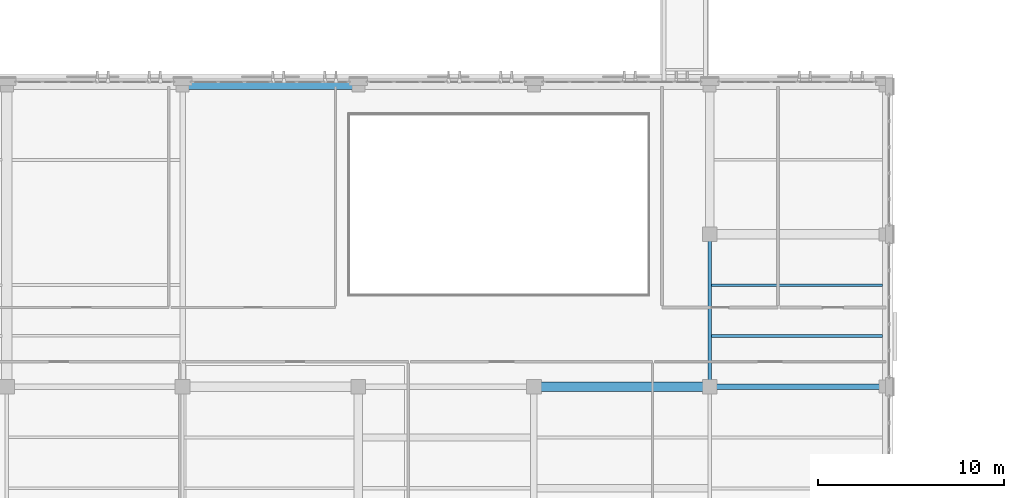
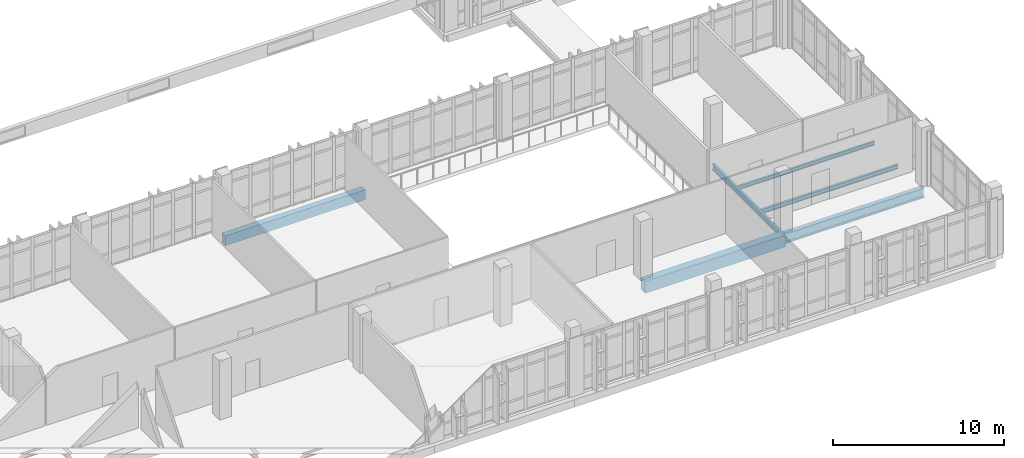
# One storey, part 47 of 158: 6 beams.
"""IFC4 building model written with IfcOpenShell, lengths in metres."""

from ifc_helpers import new_model, si_unit, direction, frame, origin, origin_2d, place, context, subcontext, project, spatial, rectangle, i_section, extrude, material, material_profile, profile_set, type_object, element, save


model = new_model("IFC4")

# Units and contexts
model_context = context("Model", 3, precision=1e-05, world=origin(), true_north=direction((0.0, 1.0)))
body_context = subcontext(model_context, "Body", "Model", "MODEL_VIEW")
ifc_project = project(units=[si_unit("LENGTHUNIT", "METRE"), si_unit("AREAUNIT", "SQUARE_METRE"), si_unit("VOLUMEUNIT", "CUBIC_METRE"), si_unit("PLANEANGLEUNIT", "RADIAN"), si_unit("MASSUNIT", "GRAM", prefix="KILO")], contexts=[model_context])

# Site, building, storey
site_placement = place(None, origin())
site = spatial("IfcSite", under=ifc_project, at=site_placement, CompositionType="ELEMENT")
building_placement = place(site_placement, origin())
building = spatial("IfcBuilding", under=site, at=building_placement, Name="Qalavern Law Courts", CompositionType="ELEMENT")
storey_placement = place(building_placement, frame((0.0, 0.0, 18.60009765625)))
storey = spatial("IfcBuildingStorey", under=building, at=storey_placement, Name="L04", CompositionType="ELEMENT", Elevation=18.60009765625)

# Beams
ifc_material_1 = material(Name="Steel S355", Category="steel")
ifc_material_profile_1 = material_profile(ifc_material_1, i_section(OverallWidth=0.300048828125, OverallDepth=0.699951171875, WebThickness=0.01708984375, FlangeThickness=0.031982421875, FilletRadius=0.027099609375, at=origin_2d()), Name="HEB 700")
ifc_profile_set_1 = profile_set([ifc_material_profile_1], Name="Steel S355")
beam_type_1 = type_object("IfcBeamType", Name="STR-BM-HEB700", PredefinedType="BEAM", material=ifc_profile_set_1)
beam_1_placement = place(storey_placement, frame((91.345703125, 13.800048828125, -0.630126953125), z_axis=(1.0, 0.0, 0.0), x_axis=(0.0, 1.0, 0.0)))
element("IfcBeam", 1, at=beam_1_placement, inside=storey, type_object=beam_type_1, Name="V2 X-beam 2-7 L04", PredefinedType="BEAM", context=body_context, shape_type="SweptSolid", body=[
    extrude(i_section(OverallWidth=0.300048828125, OverallDepth=0.699951171875, WebThickness=0.01708984375, FlangeThickness=0.031982421875, FilletRadius=0.027099609375, at=origin_2d()), origin(), (0.0, 0.0, 1.0), 9.454345703125),
])
ifc_material_profile_2 = material_profile(ifc_material_1, i_section(OverallWidth=0.179931640625, OverallDepth=0.39990234375, WebThickness=0.008544921875, FlangeThickness=0.013427734375, FilletRadius=0.02099609375, at=origin_2d()), Name="IPE 400")
ifc_profile_set_2 = profile_set([ifc_material_profile_2], Name="Steel S355")
beam_type_2 = type_object("IfcBeamType", Name="STR-BM-IPE400", PredefinedType="BEAM", material=ifc_profile_set_2)
beam_2_placement = place(storey_placement, frame((91.345703125, 13.800048828125, -0.47998046875), z_axis=(0.0, 1.0, 0.0), x_axis=(-1.0, 0.0, 0.0)))
element("IfcBeam", 2, at=beam_2_placement, inside=storey, type_object=beam_type_2, Name="V2 Y-beam 7-2 L04", PredefinedType="BEAM", context=body_context, shape_type="SweptSolid", body=[
    extrude(i_section(OverallWidth=0.179931640625, OverallDepth=0.39990234375, WebThickness=0.008544921875, FlangeThickness=0.013427734375, FilletRadius=0.02099609375, at=origin_2d()), origin(), (0.0, 0.0, 1.0), 8.199951171875),
])
ifc_material_2 = material(Name="Concrete C40/50", Category="concrete")
ifc_material_profile_3 = material_profile(ifc_material_2, rectangle(XDim=0.5, YDim=0.85009765625, at=origin_2d()), Name="RC 500x850")
ifc_profile_set_3 = profile_set([ifc_material_profile_3], Name="Concrete C40/50")
beam_type_3 = type_object("IfcBeamType", Name="STR-BM-RC500x850", PredefinedType="BEAM", material=ifc_profile_set_3)
beam_3_placement = place(storey_placement, frame((81.891357421875, 13.800048828125, -0.705078125), z_axis=(1.0, 0.0, 0.0), x_axis=(0.0, 1.0, 0.0)))
element("IfcBeam", 3, at=beam_3_placement, inside=storey, type_object=beam_type_3, Name="V2 X-beam 2-6 L04", PredefinedType="BEAM", context=body_context, shape_type="SweptSolid", body=[
    extrude(rectangle(XDim=0.5, YDim=0.85009765625, at=origin_2d()), origin(), (0.0, 0.0, 1.0), 9.454345703125),
])
ifc_material_profile_4 = material_profile(ifc_material_1, i_section(OverallWidth=0.135009765625, OverallDepth=0.27001953125, WebThickness=0.006591796875, FlangeThickness=0.01025390625, FilletRadius=0.014892578125, at=origin_2d()), Name="IPE 270")
ifc_profile_set_4 = profile_set([ifc_material_profile_4], Name="Steel S355")
beam_type_4 = type_object("IfcBeamType", Name="STR-JST-IPE270", PredefinedType="JOIST", material=ifc_profile_set_4)
beam_4_placement = place(storey_placement, frame((91.43359375, 19.2666015625, -0.4150390625), z_axis=(1.0, 0.0, 0.0), x_axis=(0.0, 1.0, 0.0)))
element("IfcBeam", 4, at=beam_4_placement, inside=storey, type_object=beam_type_4, Name="V2 secondary joist 7.2.2 L04", PredefinedType="JOIST", context=body_context, shape_type="SweptSolid", body=[
    extrude(i_section(OverallWidth=0.135009765625, OverallDepth=0.27001953125, WebThickness=0.006591796875, FlangeThickness=0.01025390625, FilletRadius=0.014892578125, at=origin_2d()), origin(), (0.0, 0.0, 1.0), 9.218505859375),
])
ifc_material_profile_5 = material_profile(ifc_material_1, i_section(OverallWidth=0.14990234375, OverallDepth=0.300048828125, WebThickness=0.007080078125, FlangeThickness=0.0107421875, FilletRadius=0.014892578125, at=origin_2d()), Name="IPE 300")
ifc_profile_set_5 = profile_set([ifc_material_profile_5], Name="Steel S355")
beam_type_5 = type_object("IfcBeamType", Name="STR-JST-IPE300", PredefinedType="JOIST", material=ifc_profile_set_5)
beam_5_placement = place(storey_placement, frame((91.43359375, 16.533203125, -0.43017578125), z_axis=(1.0, 0.0, 0.0), x_axis=(0.0, 1.0, 0.0)))
element("IfcBeam", 5, at=beam_5_placement, inside=storey, type_object=beam_type_5, Name="V2 secondary joist 7.2.1 L04", PredefinedType="JOIST", context=body_context, shape_type="SweptSolid", body=[
    extrude(i_section(OverallWidth=0.14990234375, OverallDepth=0.300048828125, WebThickness=0.007080078125, FlangeThickness=0.0107421875, FilletRadius=0.014892578125, at=origin_2d()), origin(), (0.0, 0.0, 1.0), 9.218505859375),
])
ifc_material_profile_6 = material_profile(ifc_material_2, rectangle(XDim=0.39990234375, YDim=0.699951171875, at=origin_2d()), Name="RC 400x700")
ifc_profile_set_6 = profile_set([ifc_material_profile_6], Name="Concrete C40/50")
beam_type_6 = type_object("IfcBeamType", Name="STR-SP-RC400x700", PredefinedType="SPANDREL", material=ifc_profile_set_6)
beam_6_placement = place(storey_placement, frame((62.98291015625, 30.0, -0.630126953125), z_axis=(1.0, 0.0, 0.0), x_axis=(0.0, 1.0, 0.0)))
element("IfcBeam", 6, at=beam_6_placement, inside=storey, type_object=beam_type_6, Name="V2 X-beam 4-4 L04", PredefinedType="SPANDREL", context=body_context, shape_type="SweptSolid", body=[
    extrude(rectangle(XDim=0.39990234375, YDim=0.699951171875, at=origin_2d()), origin(), (0.0, 0.0, 1.0), 9.4541015625),
])

save(model, "model.ifc")
